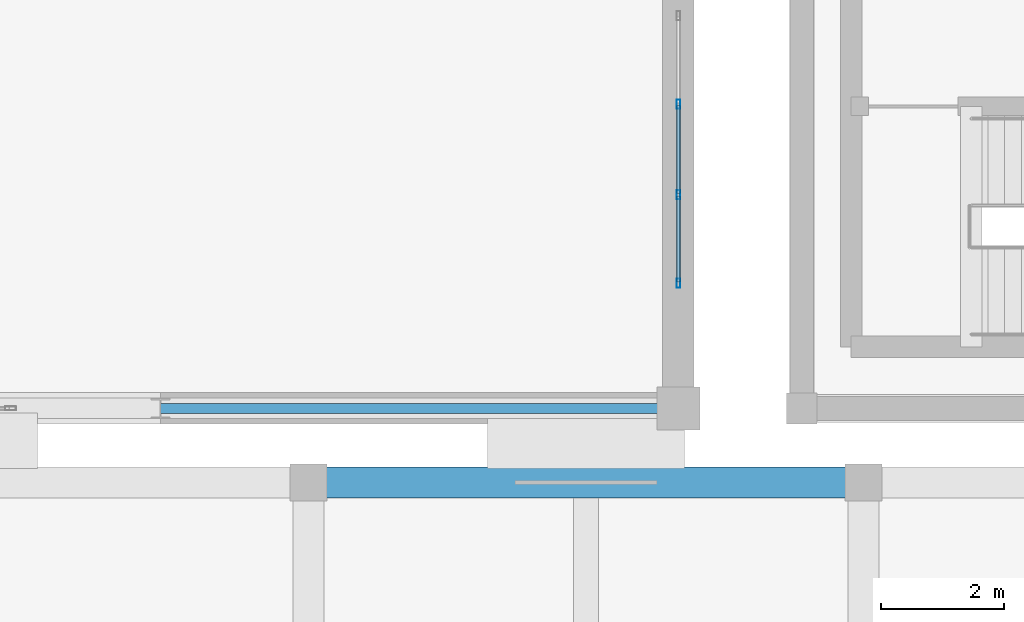
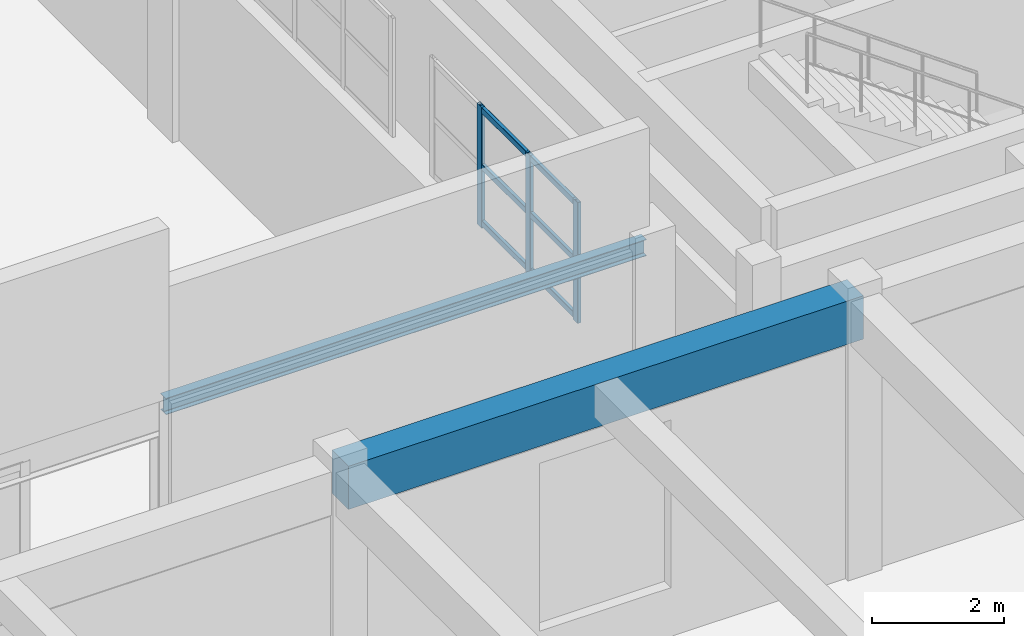
# One storey, part 114 of 197: 9 members, 2 beams, 1 element without a shape of its own.
"""IFC4 building model written with IfcOpenShell, lengths in metres."""

from ifc_helpers import new_model, si_unit, derived_unit, direction, frame, origin, origin_2d, place, context, subcontext, project, spatial, rectangle, hollow_rectangle, i_section, extrude, material, layer, layer_set, material_profile, profile_set, type_object, element, aggregate, save


model = new_model("IFC4")

# Units and contexts
model_context = context("Model", 3, precision=1e-05, world=origin(), true_north=direction((0.0, 1.0)))
body_context = subcontext(model_context, "Body", "Model", "MODEL_VIEW")
ifc_project = project(units=[si_unit("LENGTHUNIT", "METRE"), si_unit("AREAUNIT", "SQUARE_METRE"), si_unit("VOLUMEUNIT", "CUBIC_METRE"), si_unit("PLANEANGLEUNIT", "RADIAN"), si_unit("MASSUNIT", "GRAM", prefix="KILO"), derived_unit("THERMALTRANSMITTANCEUNIT", [(si_unit("POWERUNIT", "WATT"), 1), (si_unit("LENGTHUNIT", "METRE"), -2), (si_unit("THERMODYNAMICTEMPERATUREUNIT", "KELVIN"), -1)])], contexts=[model_context])

# Site, building, storey
site_placement = place(None, origin())
site = spatial("IfcSite", under=ifc_project, at=site_placement, CompositionType="ELEMENT")
building_placement = place(site_placement, origin())
building = spatial("IfcBuilding", under=site, at=building_placement, Name="Almenara Railside Exhibition Hall", CompositionType="ELEMENT")
storey_placement = place(building_placement, frame((0.0, 0.0, 5.39990234375)))
storey = spatial("IfcBuildingStorey", under=building, at=storey_placement, Name="L01", CompositionType="ELEMENT", Elevation=5.39990234375)

# Curtain wall, members
ifc_material_1 = material(Name="Bronze-anodised aluminium and low-E double glazing", Category="aluminium")
ifc_layer = layer(ifc_material_1, 0.179931640625, Name="Bronze-anodised aluminium and low-E double glazing")
ifc_layer_set = layer_set([ifc_layer], Name="Bronze-anodised aluminium and low-E double glazing")
curtain_wall_type = type_object("IfcCurtainWallType", Name="East Hall Clerestory Curtain Wall 4400x2300", PredefinedType="NOTDEFINED", material=ifc_layer_set)
curtain_wall_placement = place(storey_placement, origin())
curtain_wall = element("IfcCurtainWall", 1, at=curtain_wall_placement, inside=storey, type_object=curtain_wall_type, Name="Curtain wall CW-CL3-053", PredefinedType="NOTDEFINED")
ifc_material_2 = material(Name="Bronze-anodised aluminium", Category="aluminium")
ifc_material_profile_1 = material_profile(ifc_material_2, hollow_rectangle(XDim=0.06005859375, YDim=0.14990234375, WallThickness=0.00341796875, InnerFilletRadius=0.00341796875, OuterFilletRadius=0.007080078125, at=origin_2d()), Name="ALU-MUL 60x150x3.5")
ifc_profile_set_1 = profile_set([ifc_material_profile_1], Name="Bronze-anodised aluminium")
member_type_1 = type_object("IfcMemberType", Name="Curtain Wall Mullion 60x150x3.5", PredefinedType="MULLION", material=ifc_profile_set_1)
member_1_placement = place(storey_placement, frame((192.0, 36.030029296875, 3.614990234375), z_axis=(0.0, 0.0, 1.0), x_axis=(-1.0, 0.0, 0.0)))
member_1 = element("IfcMember", 2, at=member_1_placement, type_object=member_type_1, Name="CW-CL3-053 mullion 1", PredefinedType="MULLION", context=body_context, shape_type="SweptSolid", body=[
    extrude(hollow_rectangle(XDim=0.06005859375, YDim=0.14990234375, WallThickness=0.00341796875, InnerFilletRadius=0.00341796875, OuterFilletRadius=0.007080078125, at=origin_2d()), origin(), (0.0, 0.0, 1.0), 2.235107421875),
])
member_2_placement = place(storey_placement, frame((192.0, 37.466552734375, 3.614990234375), z_axis=(0.0, 0.0, 1.0), x_axis=(-1.0, 0.0, 0.0)))
member_2 = element("IfcMember", 3, at=member_2_placement, type_object=member_type_1, Name="CW-CL3-053 mullion 2", PredefinedType="MULLION", context=body_context, shape_type="SweptSolid", body=[
    extrude(hollow_rectangle(XDim=0.06005859375, YDim=0.14990234375, WallThickness=0.00341796875, InnerFilletRadius=0.00341796875, OuterFilletRadius=0.007080078125, at=origin_2d()), origin(), (0.0, 0.0, 1.0), 2.235107421875),
])
member_3_placement = place(storey_placement, frame((192.0, 38.933349609375, 3.614990234375), z_axis=(0.0, 0.0, 1.0), x_axis=(-1.0, 0.0, 0.0)))
member_3 = element("IfcMember", 4, at=member_3_placement, type_object=member_type_1, Name="CW-CL3-053 mullion 3", PredefinedType="MULLION", context=body_context, shape_type="SweptSolid", body=[
    extrude(hollow_rectangle(XDim=0.06005859375, YDim=0.14990234375, WallThickness=0.00341796875, InnerFilletRadius=0.00341796875, OuterFilletRadius=0.007080078125, at=origin_2d()), origin(), (0.0, 0.0, 1.0), 2.235107421875),
])
ifc_material_profile_2 = material_profile(ifc_material_2, hollow_rectangle(XDim=0.06005859375, YDim=0.110107421875, WallThickness=0.0029296875, InnerFilletRadius=0.0029296875, OuterFilletRadius=0.006103515625, at=origin_2d()), Name="ALU-TRN 60x110x3")
ifc_profile_set_2 = profile_set([ifc_material_profile_2], Name="Bronze-anodised aluminium")
member_type_2 = type_object("IfcMemberType", Name="Curtain Wall Transom 60x110x3", PredefinedType="USERDEFINED", material=ifc_profile_set_2)
member_4_placement = place(storey_placement, frame((192.0, 36.052001953125, 3.705078125), z_axis=(0.0, 1.0, 0.0), x_axis=(-1.0, 0.0, 0.0)))
member_4 = element("IfcMember", 5, at=member_4_placement, type_object=member_type_2, Name="CW-CL3-053 transom 1.1", ObjectType="TRANSOM", PredefinedType="USERDEFINED", context=body_context, shape_type="SweptSolid", body=[
    extrude(hollow_rectangle(XDim=0.06005859375, YDim=0.110107421875, WallThickness=0.0029296875, InnerFilletRadius=0.0029296875, OuterFilletRadius=0.006103515625, at=origin_2d()), origin(), (0.0, 0.0, 1.0), 1.392578125),
])
member_5_placement = place(storey_placement, frame((192.0, 36.052001953125, 4.75), z_axis=(0.0, 1.0, 0.0), x_axis=(-1.0, 0.0, 0.0)))
member_5 = element("IfcMember", 6, at=member_5_placement, type_object=member_type_2, Name="CW-CL3-053 transom 1.2", ObjectType="TRANSOM", PredefinedType="USERDEFINED", context=body_context, shape_type="SweptSolid", body=[
    extrude(hollow_rectangle(XDim=0.06005859375, YDim=0.110107421875, WallThickness=0.0029296875, InnerFilletRadius=0.0029296875, OuterFilletRadius=0.006103515625, at=origin_2d()), origin(), (0.0, 0.0, 1.0), 1.392578125),
])
member_6_placement = place(storey_placement, frame((192.0, 36.052001953125, 5.795166015625), z_axis=(0.0, 1.0, 0.0), x_axis=(-1.0, 0.0, 0.0)))
member_6 = element("IfcMember", 7, at=member_6_placement, type_object=member_type_2, Name="CW-CL3-053 transom 1.3", ObjectType="TRANSOM", PredefinedType="USERDEFINED", context=body_context, shape_type="SweptSolid", body=[
    extrude(hollow_rectangle(XDim=0.06005859375, YDim=0.110107421875, WallThickness=0.0029296875, InnerFilletRadius=0.0029296875, OuterFilletRadius=0.006103515625, at=origin_2d()), origin(), (0.0, 0.0, 1.0), 1.392578125),
])
member_7_placement = place(storey_placement, frame((192.0, 37.48876953125, 3.705078125), z_axis=(0.0, 1.0, 0.0), x_axis=(-1.0, 0.0, 0.0)))
member_7 = element("IfcMember", 8, at=member_7_placement, type_object=member_type_2, Name="CW-CL3-053 transom 2.1", ObjectType="TRANSOM", PredefinedType="USERDEFINED", context=body_context, shape_type="SweptSolid", body=[
    extrude(hollow_rectangle(XDim=0.06005859375, YDim=0.110107421875, WallThickness=0.0029296875, InnerFilletRadius=0.0029296875, OuterFilletRadius=0.006103515625, at=origin_2d()), origin(), (0.0, 0.0, 1.0), 1.422607421875),
])
member_8_placement = place(storey_placement, frame((192.0, 37.48876953125, 4.75), z_axis=(0.0, 1.0, 0.0), x_axis=(-1.0, 0.0, 0.0)))
member_8 = element("IfcMember", 9, at=member_8_placement, type_object=member_type_2, Name="CW-CL3-053 transom 2.2", ObjectType="TRANSOM", PredefinedType="USERDEFINED", context=body_context, shape_type="SweptSolid", body=[
    extrude(hollow_rectangle(XDim=0.06005859375, YDim=0.110107421875, WallThickness=0.0029296875, InnerFilletRadius=0.0029296875, OuterFilletRadius=0.006103515625, at=origin_2d()), origin(), (0.0, 0.0, 1.0), 1.422607421875),
])
member_9_placement = place(storey_placement, frame((192.0, 37.48876953125, 5.795166015625), z_axis=(0.0, 1.0, 0.0), x_axis=(-1.0, 0.0, 0.0)))
member_9 = element("IfcMember", 10, at=member_9_placement, type_object=member_type_2, Name="CW-CL3-053 transom 2.3", ObjectType="TRANSOM", PredefinedType="USERDEFINED", context=body_context, shape_type="SweptSolid", body=[
    extrude(hollow_rectangle(XDim=0.06005859375, YDim=0.110107421875, WallThickness=0.0029296875, InnerFilletRadius=0.0029296875, OuterFilletRadius=0.006103515625, at=origin_2d()), origin(), (0.0, 0.0, 1.0), 1.422607421875),
])
aggregate(curtain_wall, [member_1, member_2, member_3, member_4, member_5, member_6, member_7, member_8, member_9])

# Beams
ifc_material_3 = material(Name="Concrete C35/45", Category="concrete")
ifc_material_profile_3 = material_profile(ifc_material_3, rectangle(XDim=0.5, YDim=0.800048828125, at=origin_2d()), Name="RC 500x800")
ifc_profile_set_3 = profile_set([ifc_material_profile_3], Name="Concrete C35/45")
beam_type_1 = type_object("IfcBeamType", Name="RC Primary Beam 500x800 C35/45", PredefinedType="BEAM", material=ifc_profile_set_3)
beam_1_placement = place(storey_placement, frame((186.0, 32.800048828125, 4.736083984375), z_axis=(1.0, 0.0, 0.0), x_axis=(0.0, 1.0, 0.0)))
element("IfcBeam", 11, at=beam_1_placement, inside=storey, type_object=beam_type_1, Name="Beam 0198", PredefinedType="BEAM", context=body_context, shape_type="SweptSolid", body=[
    extrude(rectangle(XDim=0.5, YDim=0.800048828125, at=origin_2d()), origin(), (0.0, 0.0, 1.0), 9.0),
])
ifc_material_4 = material(Name="Structural steel S355JR", Category="steel")
ifc_material_profile_4 = material_profile(ifc_material_4, i_section(OverallWidth=0.1650390625, OverallDepth=0.303466796875, WebThickness=0.006103515625, FlangeThickness=0.01025390625, FilletRadius=0.0087890625, at=origin_2d()), Name="UB 305x165x40")
ifc_profile_set_4 = profile_set([ifc_material_profile_4], Name="Structural steel S355JR")
beam_type_2 = type_object("IfcBeamType", Name="Steel Canopy Edge Spandrel UB 305x165x40 S355JR", PredefinedType="SPANDREL", material=ifc_profile_set_4)
beam_2_placement = place(storey_placement, frame((183.60009765625, 34.0, 6.248291015625), z_axis=(1.0, 0.0, 0.0), x_axis=(0.0, 1.0, 0.0)))
element("IfcBeam", 12, at=beam_2_placement, inside=storey, type_object=beam_type_2, Name="BM-CRNLNT-V2G3-34", PredefinedType="SPANDREL", context=body_context, shape_type="SweptSolid", body=[
    extrude(i_section(OverallWidth=0.1650390625, OverallDepth=0.303466796875, WebThickness=0.006103515625, FlangeThickness=0.01025390625, FilletRadius=0.0087890625, at=origin_2d()), origin(), (0.0, 0.0, 1.0), 8.39990234375),
])

save(model, "model.ifc")
